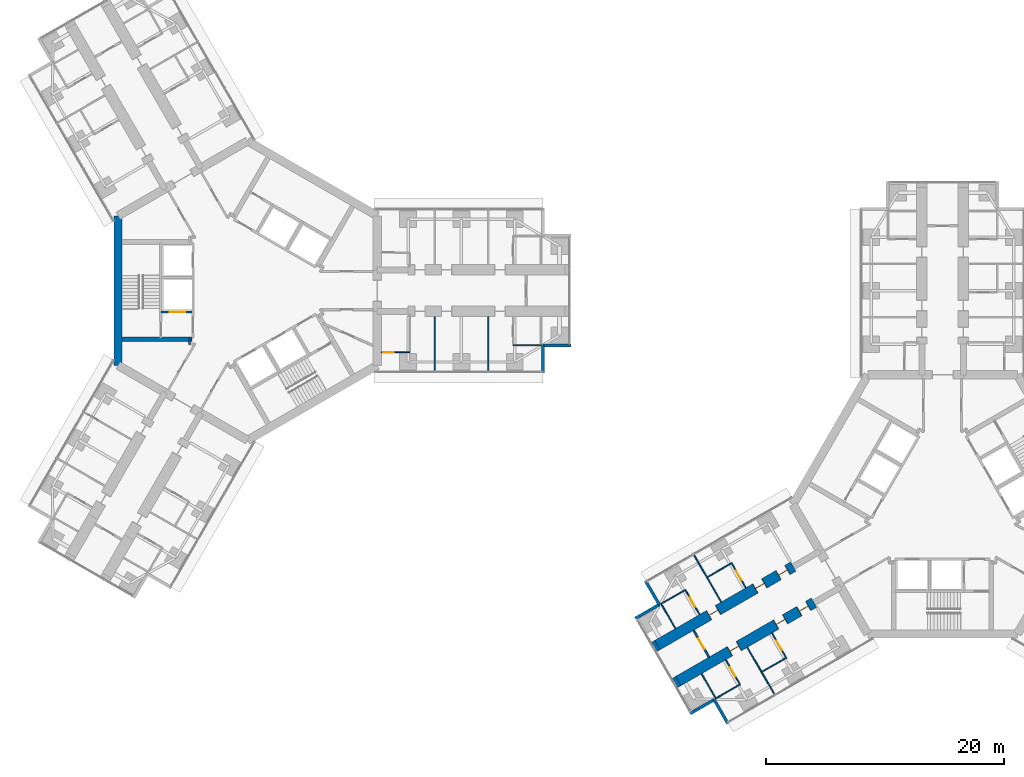
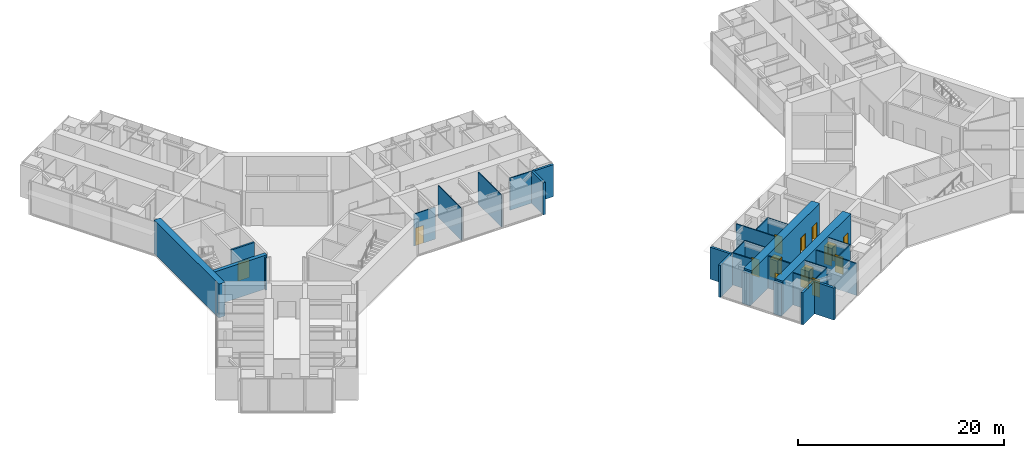
# One storey, part 17 of 25: 31 walls, 13 doors, 13 openings.
"""IFC4 building model written with IfcOpenShell, lengths in metres."""

from ifc_helpers import new_model, si_unit, direction, frame, frame_2d, origin, place, context, subcontext, project, spatial, rectangle, extrude, material, layer, layer_set, type_object, element, fill, save


model = new_model("IFC4")

# Units and contexts
model_context = context("Model", 3, precision=1e-05, world=origin(), true_north=direction((0.0, 1.0)))
body_context = subcontext(model_context, "Body", "Model", "MODEL_VIEW")
ifc_project = project(units=[si_unit("LENGTHUNIT", "METRE"), si_unit("AREAUNIT", "SQUARE_METRE"), si_unit("VOLUMEUNIT", "CUBIC_METRE"), si_unit("PLANEANGLEUNIT", "RADIAN"), si_unit("MASSUNIT", "GRAM", prefix="KILO")], contexts=[model_context])

# Site, building, storey
site_placement = place(None, origin())
site = spatial("IfcSite", under=ifc_project, at=site_placement, CompositionType="ELEMENT")
building_placement = place(site_placement, origin())
building = spatial("IfcBuilding", under=site, at=building_placement, Name="Upepo Twin Towers", CompositionType="ELEMENT")
storey_placement = place(building_placement, frame((0.0, 0.0, 72.5)))
storey = spatial("IfcBuildingStorey", under=building, at=storey_placement, Name="L17", CompositionType="ELEMENT", Elevation=72.5)

# Walls
ifc_material_1 = material(Name="Dense concrete blockwork", Category="masonry")
ifc_layer_1 = layer(ifc_material_1, 0.89990234375)
ifc_layer_set_1 = layer_set([ifc_layer_1], Name="Buttress closer 900, blockwork with fire-stopping to the curtain wall")
wall_type_1 = type_object("IfcWallType", Name="Buttress closer 900, blockwork with fire-stopping to the curtain wall", PredefinedType="PARTITIONING", material=ifc_layer_set_1)
for number, where, z_axis, x_axis, name in (
    (1, (36.252197265625, -32.865478515625, 0.0), (0.0, 0.0, 1.0), (-0.866054481515, -0.499949632511, 0.0), "T2 L17 wing B buttress closer L"),
    (2, (34.502197265625, -29.83447265625, 0.0), (0.0, 0.0, 1.0), (-0.866054481515, -0.499949632511, 0.0), "T2 L17 wing B buttress closer R"),
):
    element("IfcWall", number, at=place(storey_placement, frame(where, z_axis=z_axis, x_axis=x_axis)), inside=storey, type_object=wall_type_1, Name=name, PredefinedType="PARTITIONING", context=body_context, shape_type="SweptSolid", body=[
        extrude(rectangle(XDim=0.31005859375, YDim=0.89990234375, at=frame_2d((0.155029296875, 0.0))), origin(), (0.0, 0.0, 1.0), 3.800048828125),
    ])

# Wall, openings, doors
ifc_material_2 = material(Name="Concrete C60/75", Category="concrete")
ifc_layer_2 = layer(ifc_material_2, 0.89990234375)
ifc_layer_set_2 = layer_set([ifc_layer_2], Name="Concrete C60/75")
wall_type_2 = type_object("IfcWallType", Name="Buttress wall 900 RC", PredefinedType="SHEAR", material=ifc_layer_set_2)
wall_1_placement = place(storey_placement, frame((47.68359375, -26.265625, 0.0), z_axis=(0.0, 0.0, 1.0), x_axis=(-0.866027579429, -0.499996231654, 0.0)))
wall_1 = element("IfcWall", 3, at=wall_1_placement, inside=storey, type_object=wall_type_2, Name="T2 wing B buttress wall L part 2", PredefinedType="SHEAR", context=body_context, shape_type="SweptSolid", body=[
    extrude(rectangle(XDim=13.19970703125, YDim=0.89990234375, at=frame_2d((6.599853515625, 0.0))), origin(), (0.0, 0.0, 1.0), 4.0),
])
opening_1_placement = place(wall_1_placement, frame((0.550048828125, 0.0, 0.0)))
opening_1 = element("IfcOpeningElement", 4, at=opening_1_placement, cuts=wall_1, Name="Opening D14", PredefinedType="OPENING", context=body_context, shape_type="SweptSolid", body=[
    extrude(rectangle(XDim=0.89990234375, YDim=2.10009765625, at=frame_2d((0.449951171875, 1.050048828125))), frame((0.0, 0.4599609375, 0.0), z_axis=(0.0, -1.0, 0.0), x_axis=(1.0, 0.0, 0.0)), (0.0, 0.0, 1.0), 0.919921875),
])
opening_2_placement = place(wall_1_placement, frame((2.800048828125, 0.0, 0.0)))
opening_2 = element("IfcOpeningElement", 5, at=opening_2_placement, cuts=wall_1, Name="Opening D14", PredefinedType="OPENING", context=body_context, shape_type="SweptSolid", body=[
    extrude(rectangle(XDim=0.89990234375, YDim=2.10009765625, at=frame_2d((0.449951171875, 1.050048828125))), frame((0.0, 0.4599609375, 0.0), z_axis=(0.0, -1.0, 0.0), x_axis=(1.0, 0.0, 0.0)), (0.0, 0.0, 1.0), 0.919921875),
])
opening_3_placement = place(wall_1_placement, frame((7.300048828125, 0.0, 0.0)))
opening_3 = element("IfcOpeningElement", 6, at=opening_3_placement, cuts=wall_1, Name="Opening D14", PredefinedType="OPENING", context=body_context, shape_type="SweptSolid", body=[
    extrude(rectangle(XDim=0.89990234375, YDim=2.10009765625, at=frame_2d((0.449951171875, 1.050048828125))), frame((0.0, 0.4599609375, 0.0), z_axis=(0.0, -1.0, 0.0), x_axis=(1.0, 0.0, 0.0)), (0.0, 0.0, 1.0), 0.919921875),
])
ifc_material_3 = material(Name="Timber doorset", Category="wood")
door_type_1 = type_object("IfcDoorType", Name="Office door 900 FD30", OperationType="SINGLE_SWING_LEFT", PredefinedType="DOOR", material=ifc_material_3)
door_1_placement = place(opening_1_placement, origin())
door_1 = element("IfcDoor", 7, at=door_1_placement, inside=storey, type_object=door_type_1, Name="T2 L17 open-plan staff office door", OperationType="SINGLE_SWING_LEFT", OverallHeight=2.10009765625, OverallWidth=0.89990234375, PredefinedType="DOOR", context=body_context, shape_type="SweptSolid", body=[
    extrude(rectangle(XDim=0.81990234375, YDim=2.06009765625, at=frame_2d((0.449951171875, 1.030029296875))), frame((0.0, 0.02490234375, 0.0), z_axis=(0.0, -1.0, 0.0), x_axis=(1.0, 0.0, 0.0)), (0.0, 0.0, 1.0), 0.050048828125),
    extrude(rectangle(XDim=0.04, YDim=2.10009765625, at=frame_2d((0.02001953125, 1.050048828125))), frame((0.0, 0.44970703125, 0.0), z_axis=(0.0, -1.0, 0.0), x_axis=(1.0, 0.0, 0.0)), (0.0, 0.0, 1.0), 0.8994140625),
    extrude(rectangle(XDim=0.04, YDim=2.10009765625, at=frame_2d((0.8798828125, 1.050048828125))), frame((0.0, 0.44970703125, 0.0), z_axis=(0.0, -1.0, 0.0), x_axis=(1.0, 0.0, 0.0)), (0.0, 0.0, 1.0), 0.8994140625),
    extrude(rectangle(XDim=0.81990234375, YDim=0.04, at=frame_2d((0.449951171875, 2.080078125))), frame((0.0, 0.44970703125, 0.0), z_axis=(0.0, -1.0, 0.0), x_axis=(1.0, 0.0, 0.0)), (0.0, 0.0, 1.0), 0.8994140625),
])
fill(opening_1, door_1)
door_2_placement = place(opening_2_placement, origin())
door_2 = element("IfcDoor", 8, at=door_2_placement, inside=storey, type_object=door_type_1, Name="T2 L17 open-plan staff office door", OperationType="SINGLE_SWING_LEFT", OverallHeight=2.10009765625, OverallWidth=0.89990234375, PredefinedType="DOOR", context=body_context, shape_type="SweptSolid", body=[
    extrude(rectangle(XDim=0.81990234375, YDim=2.06009765625, at=frame_2d((0.449951171875, 1.030029296875))), frame((0.0, 0.02490234375, 0.0), z_axis=(0.0, -1.0, 0.0), x_axis=(1.0, 0.0, 0.0)), (0.0, 0.0, 1.0), 0.050048828125),
    extrude(rectangle(XDim=0.04, YDim=2.10009765625, at=frame_2d((0.02001953125, 1.050048828125))), frame((0.0, 0.44970703125, 0.0), z_axis=(0.0, -1.0, 0.0), x_axis=(1.0, 0.0, 0.0)), (0.0, 0.0, 1.0), 0.8994140625),
    extrude(rectangle(XDim=0.04, YDim=2.10009765625, at=frame_2d((0.8798828125, 1.050048828125))), frame((0.0, 0.44970703125, 0.0), z_axis=(0.0, -1.0, 0.0), x_axis=(1.0, 0.0, 0.0)), (0.0, 0.0, 1.0), 0.8994140625),
    extrude(rectangle(XDim=0.81990234375, YDim=0.04, at=frame_2d((0.449951171875, 2.080078125))), frame((0.0, 0.44970703125, 0.0), z_axis=(0.0, -1.0, 0.0), x_axis=(1.0, 0.0, 0.0)), (0.0, 0.0, 1.0), 0.8994140625),
])
fill(opening_2, door_2)
door_3_placement = place(opening_3_placement, origin())
door_3 = element("IfcDoor", 9, at=door_3_placement, inside=storey, type_object=door_type_1, Name="T2 L17 staff office door", OperationType="SINGLE_SWING_RIGHT", OverallHeight=2.10009765625, OverallWidth=0.89990234375, PredefinedType="DOOR", context=body_context, shape_type="SweptSolid", body=[
    extrude(rectangle(XDim=0.81990234375, YDim=2.06009765625, at=frame_2d((0.449951171875, 1.030029296875))), frame((0.0, 0.02490234375, 0.0), z_axis=(0.0, -1.0, 0.0), x_axis=(1.0, 0.0, 0.0)), (0.0, 0.0, 1.0), 0.050048828125),
    extrude(rectangle(XDim=0.04, YDim=2.10009765625, at=frame_2d((0.02001953125, 1.050048828125))), frame((0.0, 0.44970703125, 0.0), z_axis=(0.0, -1.0, 0.0), x_axis=(1.0, 0.0, 0.0)), (0.0, 0.0, 1.0), 0.8994140625),
    extrude(rectangle(XDim=0.04, YDim=2.10009765625, at=frame_2d((0.8798828125, 1.050048828125))), frame((0.0, 0.44970703125, 0.0), z_axis=(0.0, -1.0, 0.0), x_axis=(1.0, 0.0, 0.0)), (0.0, 0.0, 1.0), 0.8994140625),
    extrude(rectangle(XDim=0.81990234375, YDim=0.04, at=frame_2d((0.449951171875, 2.080078125))), frame((0.0, 0.44970703125, 0.0), z_axis=(0.0, -1.0, 0.0), x_axis=(1.0, 0.0, 0.0)), (0.0, 0.0, 1.0), 0.8994140625),
])
fill(opening_3, door_3)

wall_2_placement = place(storey_placement, frame((45.93359375, -23.234375, 0.0), z_axis=(0.0, 0.0, 1.0), x_axis=(-0.866019570528, -0.500010103361, 0.0)))
wall_2 = element("IfcWall", 10, at=wall_2_placement, inside=storey, type_object=wall_type_2, Name="T2 wing B buttress wall R part 2", PredefinedType="SHEAR", context=body_context, shape_type="SweptSolid", body=[
    extrude(rectangle(XDim=13.199951171875, YDim=0.89990234375, at=frame_2d((6.60009765625, 0.0))), origin(), (0.0, 0.0, 1.0), 4.0),
])
opening_4_placement = place(wall_2_placement, frame((0.550048828125, 0.0, 0.0)))
opening_4 = element("IfcOpeningElement", 11, at=opening_4_placement, cuts=wall_2, Name="Opening D14", PredefinedType="OPENING", context=body_context, shape_type="SweptSolid", body=[
    extrude(rectangle(XDim=0.89990234375, YDim=2.10009765625, at=frame_2d((0.449951171875, 1.050048828125))), frame((0.0, 0.4599609375, 0.0), z_axis=(0.0, -1.0, 0.0), x_axis=(1.0, 0.0, 0.0)), (0.0, 0.0, 1.0), 0.919921875),
])
opening_5_placement = place(wall_2_placement, frame((2.800048828125, 0.0, 0.0)))
opening_5 = element("IfcOpeningElement", 12, at=opening_5_placement, cuts=wall_2, Name="Opening D14", PredefinedType="OPENING", context=body_context, shape_type="SweptSolid", body=[
    extrude(rectangle(XDim=0.89990234375, YDim=2.10009765625, at=frame_2d((0.449951171875, 1.050048828125))), frame((0.0, 0.4599609375, 0.0), z_axis=(0.0, -1.0, 0.0), x_axis=(1.0, 0.0, 0.0)), (0.0, 0.0, 1.0), 0.919921875),
])
opening_6_placement = place(wall_2_placement, frame((7.300048828125, 0.0, 0.0)))
opening_6 = element("IfcOpeningElement", 13, at=opening_6_placement, cuts=wall_2, Name="Opening D14", PredefinedType="OPENING", context=body_context, shape_type="SweptSolid", body=[
    extrude(rectangle(XDim=0.89990234375, YDim=2.10009765625, at=frame_2d((0.449951171875, 1.050048828125))), frame((0.0, 0.4599609375, 0.0), z_axis=(0.0, -1.0, 0.0), x_axis=(1.0, 0.0, 0.0)), (0.0, 0.0, 1.0), 0.919921875),
])
door_4_placement = place(opening_4_placement, origin())
door_4 = element("IfcDoor", 14, at=door_4_placement, inside=storey, type_object=door_type_1, Name="T2 L17 open-plan staff office door", OperationType="SINGLE_SWING_LEFT", OverallHeight=2.10009765625, OverallWidth=0.89990234375, PredefinedType="DOOR", context=body_context, shape_type="SweptSolid", body=[
    extrude(rectangle(XDim=0.81990234375, YDim=2.06009765625, at=frame_2d((0.449951171875, 1.030029296875))), frame((0.0, 0.02490234375, 0.0), z_axis=(0.0, -1.0, 0.0), x_axis=(1.0, 0.0, 0.0)), (0.0, 0.0, 1.0), 0.050048828125),
    extrude(rectangle(XDim=0.04, YDim=2.10009765625, at=frame_2d((0.02001953125, 1.050048828125))), frame((0.0, 0.44970703125, 0.0), z_axis=(0.0, -1.0, 0.0), x_axis=(1.0, 0.0, 0.0)), (0.0, 0.0, 1.0), 0.8994140625),
    extrude(rectangle(XDim=0.04, YDim=2.10009765625, at=frame_2d((0.8798828125, 1.050048828125))), frame((0.0, 0.44970703125, 0.0), z_axis=(0.0, -1.0, 0.0), x_axis=(1.0, 0.0, 0.0)), (0.0, 0.0, 1.0), 0.8994140625),
    extrude(rectangle(XDim=0.81990234375, YDim=0.04, at=frame_2d((0.449951171875, 2.080078125))), frame((0.0, 0.44970703125, 0.0), z_axis=(0.0, -1.0, 0.0), x_axis=(1.0, 0.0, 0.0)), (0.0, 0.0, 1.0), 0.8994140625),
])
fill(opening_4, door_4)
door_5_placement = place(opening_5_placement, origin())
door_5 = element("IfcDoor", 15, at=door_5_placement, inside=storey, type_object=door_type_1, Name="T2 L17 open-plan staff office door", OperationType="SINGLE_SWING_LEFT", OverallHeight=2.10009765625, OverallWidth=0.89990234375, PredefinedType="DOOR", context=body_context, shape_type="SweptSolid", body=[
    extrude(rectangle(XDim=0.81990234375, YDim=2.06009765625, at=frame_2d((0.449951171875, 1.030029296875))), frame((0.0, 0.02490234375, 0.0), z_axis=(0.0, -1.0, 0.0), x_axis=(1.0, 0.0, 0.0)), (0.0, 0.0, 1.0), 0.050048828125),
    extrude(rectangle(XDim=0.04, YDim=2.10009765625, at=frame_2d((0.02001953125, 1.050048828125))), frame((0.0, 0.44970703125, 0.0), z_axis=(0.0, -1.0, 0.0), x_axis=(1.0, 0.0, 0.0)), (0.0, 0.0, 1.0), 0.8994140625),
    extrude(rectangle(XDim=0.04, YDim=2.10009765625, at=frame_2d((0.8798828125, 1.050048828125))), frame((0.0, 0.44970703125, 0.0), z_axis=(0.0, -1.0, 0.0), x_axis=(1.0, 0.0, 0.0)), (0.0, 0.0, 1.0), 0.8994140625),
    extrude(rectangle(XDim=0.81990234375, YDim=0.04, at=frame_2d((0.449951171875, 2.080078125))), frame((0.0, 0.44970703125, 0.0), z_axis=(0.0, -1.0, 0.0), x_axis=(1.0, 0.0, 0.0)), (0.0, 0.0, 1.0), 0.8994140625),
])
fill(opening_5, door_5)
door_6_placement = place(opening_6_placement, origin())
door_6 = element("IfcDoor", 16, at=door_6_placement, inside=storey, type_object=door_type_1, Name="T2 L17 meeting room door", OperationType="SINGLE_SWING_RIGHT", OverallHeight=2.10009765625, OverallWidth=0.89990234375, PredefinedType="DOOR", context=body_context, shape_type="SweptSolid", body=[
    extrude(rectangle(XDim=0.81990234375, YDim=2.06009765625, at=frame_2d((0.449951171875, 1.030029296875))), frame((0.0, 0.02490234375, 0.0), z_axis=(0.0, -1.0, 0.0), x_axis=(1.0, 0.0, 0.0)), (0.0, 0.0, 1.0), 0.050048828125),
    extrude(rectangle(XDim=0.04, YDim=2.10009765625, at=frame_2d((0.02001953125, 1.050048828125))), frame((0.0, 0.44970703125, 0.0), z_axis=(0.0, -1.0, 0.0), x_axis=(1.0, 0.0, 0.0)), (0.0, 0.0, 1.0), 0.8994140625),
    extrude(rectangle(XDim=0.04, YDim=2.10009765625, at=frame_2d((0.8798828125, 1.050048828125))), frame((0.0, 0.44970703125, 0.0), z_axis=(0.0, -1.0, 0.0), x_axis=(1.0, 0.0, 0.0)), (0.0, 0.0, 1.0), 0.8994140625),
    extrude(rectangle(XDim=0.81990234375, YDim=0.04, at=frame_2d((0.449951171875, 2.080078125))), frame((0.0, 0.44970703125, 0.0), z_axis=(0.0, -1.0, 0.0), x_axis=(1.0, 0.0, 0.0)), (0.0, 0.0, 1.0), 0.8994140625),
])
fill(opening_6, door_6)

# Walls
ifc_material_4 = material(Name="Concrete C60/75", Category="concrete")
ifc_layer_3 = layer(ifc_material_4, 0.699951171875)
ifc_layer_set_3 = layer_set([ifc_layer_3], Name="Concrete C60/75")
wall_type_3 = type_object("IfcWallType", Name="Core wall 700 RC", PredefinedType="SHEAR", material=ifc_layer_set_3)
wall_3_placement = place(storey_placement, frame((-10.908447265625, 6.2978515625, 0.0), z_axis=(0.0, 0.0, 1.0), x_axis=(0.0, -1.0, 0.0)))
element("IfcWall", 17, at=wall_3_placement, inside=storey, type_object=wall_type_3, Name="T1 core wall 180", PredefinedType="SHEAR", context=body_context, shape_type="SweptSolid", body=[
    extrude(rectangle(XDim=12.595703125, YDim=0.699951171875, at=frame_2d((6.2978515625, 0.0))), origin(), (0.0, 0.0, 1.0), 4.0),
])
ifc_material_5 = material(Name="Blockwork with anodised aluminium cladding", Category="masonry")
ifc_layer_4 = layer(ifc_material_5, 0.25)
ifc_layer_set_4 = layer_set([ifc_layer_4], Name="Notch cladding wall 250, pale metal")
wall_type_4 = type_object("IfcWallType", Name="Notch cladding wall 250, pale metal", PredefinedType="STANDARD", material=ifc_layer_set_4)
for number, where, z_axis, x_axis, name in (
    (18, (24.875, -6.949951171875, 0.0), (0.0, 0.0, 1.0), (0.0, 1.0, 0.0), "T1 L17 wing A notch wall R1"),
    (19, (24.875, -4.625, 0.0), (0.0, 0.0, 1.0), (1.0, 0.0, 0.0), "T1 L17 wing A notch wall R2"),
    (20, (40.4326171875, -36.456298828125, 0.0), (0.0, 0.0, 1.0), (-0.500046648681, 0.865998469481, 0.0), "T2 L17 wing B notch wall L1"),
    (21, (39.27001953125, -34.44287109375, 0.0), (0.0, 0.0, 1.0), (-0.865998469481, -0.500046648681, 0.0), "T2 L17 wing B notch wall L2"),
    (22, (33.482666015625, -24.418701171875, 0.0), (0.0, 0.0, 1.0), (0.499967891604, -0.866043940782, 0.0), "T2 L17 wing B notch wall R1"),
    (23, (34.64501953125, -26.43212890625, 0.0), (0.0, 0.0, 1.0), (-0.865998469481, -0.500046648681, 0.0), "T2 L17 wing B notch wall R2"),
):
    element("IfcWall", number, at=place(storey_placement, frame(where, z_axis=z_axis, x_axis=x_axis)), inside=storey, type_object=wall_type_4, Name=name, PredefinedType="STANDARD", context=body_context, shape_type="SweptSolid", body=[
        extrude(rectangle(XDim=2.324951171875, YDim=0.25, at=frame_2d((1.16259765625, 0.0))), origin(), (0.0, 0.0, 1.0), 3.800048828125),
    ])
ifc_material_6 = material(Name="Gypsum board on steel studs", Category="steel")
ifc_layer_5 = layer(ifc_material_6, 0.10009765625)
ifc_layer_set_5 = layer_set([ifc_layer_5], Name="Office partition 100 stud")
wall_type_5 = type_object("IfcWallType", Name="Office partition 100 stud", PredefinedType="PARTITIONING", material=ifc_layer_set_5)
for number, where, z_axis, x_axis, name in (
    (24, (15.75, -2.199951171875, 0.0), (0.0, 0.0, 1.0), (0.0, -1.0, 0.0), "T1 partition AR at 15.75"),
    (25, (20.25, -2.199951171875, 0.0), (0.0, 0.0, 1.0), (0.0, -1.0, 0.0), "T1 partition AR at 20.25"),
):
    element("IfcWall", number, at=place(storey_placement, frame(where, z_axis=z_axis, x_axis=x_axis)), inside=storey, type_object=wall_type_5, Name=name, PredefinedType="PARTITIONING", context=body_context, shape_type="SweptSolid", body=[
        extrude(rectangle(XDim=4.550048828125, YDim=0.10009765625, at=frame_2d((2.27490234375, 0.0))), origin(), (0.0, 0.0, 1.0), 3.800048828125),
    ])
wall_4_placement = place(storey_placement, frame((22.35009765625, -4.60009765625, 0.0), z_axis=(0.0, 0.0, 1.0), x_axis=(1.0, 0.0, 0.0)))
element("IfcWall", 26, at=wall_4_placement, inside=storey, type_object=wall_type_5, Name="T1 inner room partition AR at 22.35", PredefinedType="PARTITIONING", context=body_context, shape_type="SweptSolid", body=[
    extrude(rectangle(XDim=2.39990234375, YDim=0.10009765625, at=frame_2d((1.199951171875, 0.0))), origin(), (0.0, 0.0, 1.0), 3.800048828125),
])

# Wall, opening, door
wall_5_placement = place(storey_placement, frame((11.258056640625, -5.199951171875, 0.0), z_axis=(0.0, 0.0, 1.0), x_axis=(1.0, 0.0, 0.0)))
wall_5 = element("IfcWall", 27, at=wall_5_placement, inside=storey, type_object=wall_type_5, Name="T1 WC bay partition AR at 11.26", PredefinedType="PARTITIONING", context=body_context, shape_type="SweptSolid", body=[
    extrude(rectangle(XDim=2.39990234375, YDim=0.10009765625, at=frame_2d((1.199951171875, 0.0))), origin(), (0.0, 0.0, 1.0), 3.800048828125),
])
opening_7_placement = place(wall_5_placement, frame((0.14990234375, 0.0, 0.0)))
opening_7 = element("IfcOpeningElement", 28, at=opening_7_placement, cuts=wall_5, Name="Opening D14", PredefinedType="OPENING", context=body_context, shape_type="SweptSolid", body=[
    extrude(rectangle(XDim=0.89990234375, YDim=2.10009765625, at=frame_2d((0.449951171875, 1.050048828125))), frame((0.0, 0.06005859375, 0.0), z_axis=(0.0, -1.0, 0.0), x_axis=(1.0, 0.0, 0.0)), (0.0, 0.0, 1.0), 0.1201171875),
])
door_7_placement = place(opening_7_placement, origin())
door_7 = element("IfcDoor", 29, at=door_7_placement, inside=storey, type_object=door_type_1, Name="T1 L17 WC bay inner room door", OperationType="SINGLE_SWING_LEFT", OverallHeight=2.10009765625, OverallWidth=0.89990234375, PredefinedType="DOOR", context=body_context, shape_type="SweptSolid", body=[
    extrude(rectangle(XDim=0.89990234375, YDim=2.10009765625, at=frame_2d((0.449951171875, 1.050048828125))), frame((0.0, 0.02490234375, 0.0), z_axis=(0.0, -1.0, 0.0), x_axis=(1.0, 0.0, 0.0)), (0.0, 0.0, 1.0), 0.050048828125),
])
fill(opening_7, door_7)

# Walls
wall_6_placement = place(storey_placement, frame((42.06298828125, -30.0302734375, 0.0), z_axis=(0.0, 0.0, 1.0), x_axis=(0.499982560684, -0.866035472144, 0.0)))
element("IfcWall", 30, at=wall_6_placement, inside=storey, type_object=wall_type_5, Name="T2 partition BL at 20.25", PredefinedType="PARTITIONING", context=body_context, shape_type="SweptSolid", body=[
    extrude(rectangle(XDim=4.550048828125, YDim=0.10009765625, at=frame_2d((2.27490234375, 0.0))), origin(), (0.0, 0.0, 1.0), 3.800048828125),
])
wall_7_placement = place(storey_placement, frame((45.341552734375, -30.90869140625, 0.0), z_axis=(0.0, 0.0, 1.0), x_axis=(-0.866050077142, -0.499957262057, 0.0)))
element("IfcWall", 31, at=wall_7_placement, inside=storey, type_object=wall_type_5, Name="T2 inner room partition BL at 17.85", PredefinedType="PARTITIONING", context=body_context, shape_type="SweptSolid", body=[
    extrude(rectangle(XDim=2.400146484375, YDim=0.10009765625, at=frame_2d((1.2001953125, 0.0))), origin(), (0.0, 0.0, 1.0), 3.800048828125),
])

# Wall, opening, door
wall_8_placement = place(storey_placement, frame((44.141357421875, -28.830322265625, 0.0), z_axis=(0.0, 0.0, 1.0), x_axis=(0.500077600433, -0.865980596518, 0.0)))
wall_8 = element("IfcWall", 32, at=wall_8_placement, inside=storey, type_object=wall_type_5, Name="T2 inner room partition BL end at 17.85", PredefinedType="PARTITIONING", context=body_context, shape_type="SweptSolid", body=[
    extrude(rectangle(XDim=2.39990234375, YDim=0.10009765625, at=frame_2d((1.199951171875, 0.0))), origin(), (0.0, 0.0, 1.0), 3.800048828125),
])
opening_8_placement = place(wall_8_placement, frame((0.75, 0.0, 0.0)))
opening_8 = element("IfcOpeningElement", 33, at=opening_8_placement, cuts=wall_8, Name="Opening D14", PredefinedType="OPENING", context=body_context, shape_type="SweptSolid", body=[
    extrude(rectangle(XDim=0.89990234375, YDim=2.10009765625, at=frame_2d((0.449951171875, 1.050048828125))), frame((0.0, 0.06005859375, 0.0), z_axis=(0.0, -1.0, 0.0), x_axis=(1.0, 0.0, 0.0)), (0.0, 0.0, 1.0), 0.1201171875),
])
door_8_placement = place(opening_8_placement, origin())
door_8 = element("IfcDoor", 34, at=door_8_placement, inside=storey, type_object=door_type_1, Name="T2 L17 inner room door", OperationType="SINGLE_SWING_LEFT", OverallHeight=2.10009765625, OverallWidth=0.89990234375, PredefinedType="DOOR", context=body_context, shape_type="SweptSolid", body=[
    extrude(rectangle(XDim=0.89990234375, YDim=2.10009765625, at=frame_2d((0.449951171875, 1.050048828125))), frame((0.0, 0.02490234375, 0.0), z_axis=(0.0, -1.0, 0.0), x_axis=(1.0, 0.0, 0.0)), (0.0, 0.0, 1.0), 0.050048828125),
])
fill(opening_8, door_8)

# Wall
wall_9_placement = place(storey_placement, frame((41.4443359375, -33.15869140625, 0.0), z_axis=(0.0, 0.0, 1.0), x_axis=(-0.866024647952, -0.500001309137, 0.0)))
element("IfcWall", 35, at=wall_9_placement, inside=storey, type_object=wall_type_5, Name="T2 inner room partition BL at 22.35", PredefinedType="PARTITIONING", context=body_context, shape_type="SweptSolid", body=[
    extrude(rectangle(XDim=2.39990234375, YDim=0.10009765625, at=frame_2d((1.199951171875, 0.0))), origin(), (0.0, 0.0, 1.0), 3.800048828125),
])

# Wall, opening, door
wall_10_placement = place(storey_placement, frame((40.244384765625, -31.080322265625, 0.0), z_axis=(0.0, 0.0, 1.0), x_axis=(0.500001309137, -0.866024647952, 0.0)))
wall_10 = element("IfcWall", 36, at=wall_10_placement, inside=storey, type_object=wall_type_5, Name="T2 inner room partition BL end at 22.35", PredefinedType="PARTITIONING", context=body_context, shape_type="SweptSolid", body=[
    extrude(rectangle(XDim=2.39990234375, YDim=0.10009765625, at=frame_2d((1.199951171875, 0.0))), origin(), (0.0, 0.0, 1.0), 3.800048828125),
])
opening_9_placement = place(wall_10_placement, frame((0.75, 0.0, 0.0)))
opening_9 = element("IfcOpeningElement", 37, at=opening_9_placement, cuts=wall_10, Name="Opening D14", PredefinedType="OPENING", context=body_context, shape_type="SweptSolid", body=[
    extrude(rectangle(XDim=0.89990234375, YDim=2.10009765625, at=frame_2d((0.449951171875, 1.050048828125))), frame((0.0, 0.06005859375, 0.0), z_axis=(0.0, -1.0, 0.0), x_axis=(1.0, 0.0, 0.0)), (0.0, 0.0, 1.0), 0.1201171875),
])
door_9_placement = place(opening_9_placement, origin())
door_9 = element("IfcDoor", 38, at=door_9_placement, inside=storey, type_object=door_type_1, Name="T2 L17 inner room door", OperationType="SINGLE_SWING_LEFT", OverallHeight=2.10009765625, OverallWidth=0.89990234375, PredefinedType="DOOR", context=body_context, shape_type="SweptSolid", body=[
    extrude(rectangle(XDim=0.89990234375, YDim=2.10009765625, at=frame_2d((0.449951171875, 1.050048828125))), frame((0.0, 0.02490234375, 0.0), z_axis=(0.0, -1.0, 0.0), x_axis=(1.0, 0.0, 0.0)), (0.0, 0.0, 1.0), 0.050048828125),
])
fill(opening_9, door_9)

# Walls
wall_11_placement = place(storey_placement, frame((38.209228515625, -32.25537109375, 0.0), z_axis=(0.0, 0.0, 1.0), x_axis=(0.500001309137, -0.866024647952, 0.0)))
element("IfcWall", 39, at=wall_11_placement, inside=storey, type_object=wall_type_5, Name="T2 inner room partition BL end at 24.75", PredefinedType="PARTITIONING", context=body_context, shape_type="SweptSolid", body=[
    extrude(rectangle(XDim=2.39990234375, YDim=0.10009765625, at=frame_2d((1.199951171875, 0.0))), origin(), (0.0, 0.0, 1.0), 3.800048828125),
])
wall_12_placement = place(storey_placement, frame((39.863037109375, -26.2197265625, 0.0), z_axis=(0.0, 0.0, 1.0), x_axis=(-0.500022803284, 0.866012237902, 0.0)))
element("IfcWall", 40, at=wall_12_placement, inside=storey, type_object=wall_type_5, Name="T2 partition BR at 20.25", PredefinedType="PARTITIONING", context=body_context, shape_type="SweptSolid", body=[
    extrude(rectangle(XDim=4.550048828125, YDim=0.10009765625, at=frame_2d((2.27490234375, 0.0))), origin(), (0.0, 0.0, 1.0), 3.800048828125),
])
wall_13_placement = place(storey_placement, frame((40.741455078125, -22.941162109375, 0.0), z_axis=(0.0, 0.0, 1.0), x_axis=(-0.865980596518, -0.500077600433, 0.0)))
element("IfcWall", 41, at=wall_13_placement, inside=storey, type_object=wall_type_5, Name="T2 inner room partition BR at 17.85", PredefinedType="PARTITIONING", context=body_context, shape_type="SweptSolid", body=[
    extrude(rectangle(XDim=2.39990234375, YDim=0.10009765625, at=frame_2d((1.199951171875, 0.0))), origin(), (0.0, 0.0, 1.0), 3.800048828125),
])

# Wall, opening, door
wall_14_placement = place(storey_placement, frame((41.94140625, -25.019775390625, 0.0), z_axis=(0.0, 0.0, 1.0), x_axis=(-0.499957262057, 0.866050077142, 0.0)))
wall_14 = element("IfcWall", 42, at=wall_14_placement, inside=storey, type_object=wall_type_5, Name="T2 inner room partition BR end at 17.85", PredefinedType="PARTITIONING", context=body_context, shape_type="SweptSolid", body=[
    extrude(rectangle(XDim=2.400146484375, YDim=0.10009765625, at=frame_2d((1.2001953125, 0.0))), origin(), (0.0, 0.0, 1.0), 3.800048828125),
])
opening_10_placement = place(wall_14_placement, frame((0.75, 0.0, 0.0)))
opening_10 = element("IfcOpeningElement", 43, at=opening_10_placement, cuts=wall_14, Name="Opening D14", PredefinedType="OPENING", context=body_context, shape_type="SweptSolid", body=[
    extrude(rectangle(XDim=0.89990234375, YDim=2.10009765625, at=frame_2d((0.449951171875, 1.050048828125))), frame((0.0, 0.06005859375, 0.0), z_axis=(0.0, -1.0, 0.0), x_axis=(1.0, 0.0, 0.0)), (0.0, 0.0, 1.0), 0.1201171875),
])
door_10_placement = place(opening_10_placement, origin())
door_10 = element("IfcDoor", 44, at=door_10_placement, inside=storey, type_object=door_type_1, Name="T2 L17 inner room door", OperationType="SINGLE_SWING_LEFT", OverallHeight=2.10009765625, OverallWidth=0.89990234375, PredefinedType="DOOR", context=body_context, shape_type="SweptSolid", body=[
    extrude(rectangle(XDim=0.89990234375, YDim=2.10009765625, at=frame_2d((0.449951171875, 1.050048828125))), frame((0.0, 0.02490234375, 0.0), z_axis=(0.0, -1.0, 0.0), x_axis=(1.0, 0.0, 0.0)), (0.0, 0.0, 1.0), 0.050048828125),
])
fill(opening_10, door_10)

# Wall
wall_15_placement = place(storey_placement, frame((36.84423828125, -25.191162109375, 0.0), z_axis=(0.0, 0.0, 1.0), x_axis=(-0.865980596518, -0.500077600433, 0.0)))
element("IfcWall", 45, at=wall_15_placement, inside=storey, type_object=wall_type_5, Name="T2 inner room partition BR at 22.35", PredefinedType="PARTITIONING", context=body_context, shape_type="SweptSolid", body=[
    extrude(rectangle(XDim=2.39990234375, YDim=0.10009765625, at=frame_2d((1.199951171875, 0.0))), origin(), (0.0, 0.0, 1.0), 3.800048828125),
])

# Wall, opening, door
wall_16_placement = place(storey_placement, frame((38.04443359375, -27.269775390625, 0.0), z_axis=(0.0, 0.0, 1.0), x_axis=(-0.500033551112, 0.866006032174, 0.0)))
wall_16 = element("IfcWall", 46, at=wall_16_placement, inside=storey, type_object=wall_type_5, Name="T2 inner room partition BR end at 22.35", PredefinedType="PARTITIONING", context=body_context, shape_type="SweptSolid", body=[
    extrude(rectangle(XDim=2.400146484375, YDim=0.10009765625, at=frame_2d((1.2001953125, 0.0))), origin(), (0.0, 0.0, 1.0), 3.800048828125),
])
opening_11_placement = place(wall_16_placement, frame((0.75, 0.0, 0.0)))
opening_11 = element("IfcOpeningElement", 47, at=opening_11_placement, cuts=wall_16, Name="Opening D14", PredefinedType="OPENING", context=body_context, shape_type="SweptSolid", body=[
    extrude(rectangle(XDim=0.89990234375, YDim=2.10009765625, at=frame_2d((0.449951171875, 1.050048828125))), frame((0.0, 0.06005859375, 0.0), z_axis=(0.0, -1.0, 0.0), x_axis=(1.0, 0.0, 0.0)), (0.0, 0.0, 1.0), 0.1201171875),
])
door_11_placement = place(opening_11_placement, origin())
door_11 = element("IfcDoor", 48, at=door_11_placement, inside=storey, type_object=door_type_1, Name="T2 L17 inner room door", OperationType="SINGLE_SWING_LEFT", OverallHeight=2.10009765625, OverallWidth=0.89990234375, PredefinedType="DOOR", context=body_context, shape_type="SweptSolid", body=[
    extrude(rectangle(XDim=0.89990234375, YDim=2.10009765625, at=frame_2d((0.449951171875, 1.050048828125))), frame((0.0, 0.02490234375, 0.0), z_axis=(0.0, -1.0, 0.0), x_axis=(1.0, 0.0, 0.0)), (0.0, 0.0, 1.0), 0.050048828125),
])
fill(opening_11, door_11)

# Wall
wall_17_placement = place(storey_placement, frame((36.00927734375, -28.44482421875, 0.0), z_axis=(0.0, 0.0, 1.0), x_axis=(-0.500033551112, 0.866006032174, 0.0)))
element("IfcWall", 49, at=wall_17_placement, inside=storey, type_object=wall_type_5, Name="T2 inner room partition BR end at 24.75", PredefinedType="PARTITIONING", context=body_context, shape_type="SweptSolid", body=[
    extrude(rectangle(XDim=2.400146484375, YDim=0.10009765625, at=frame_2d((1.2001953125, 0.0))), origin(), (0.0, 0.0, 1.0), 3.800048828125),
])

# Wall, opening, door
ifc_material_7 = material(Name="Concrete C40/50", Category="concrete")
ifc_layer_6 = layer(ifc_material_7, 0.199951171875)
ifc_layer_set_6 = layer_set([ifc_layer_6], Name="Concrete C40/50")
wall_type_6 = type_object("IfcWallType", Name="Shaft wall 200 RC", PredefinedType="SHEAR", material=ifc_layer_set_6)
wall_18_placement = place(storey_placement, frame((-4.699951171875, -1.800048828125, 0.0), z_axis=(0.0, 0.0, 1.0), x_axis=(-1.0, 0.0, 0.0)))
wall_18 = element("IfcWall", 50, at=wall_18_placement, inside=storey, type_object=wall_type_6, Name="T1 core W180 lobby wall", PredefinedType="SHEAR", context=body_context, shape_type="SweptSolid", body=[
    extrude(rectangle(XDim=2.60009765625, YDim=0.199951171875, at=frame_2d((1.300048828125, 0.0))), origin(), (0.0, 0.0, 1.0), 4.0),
])
opening_12_placement = place(wall_18_placement, frame((0.550048828125, 0.0, 0.0)))
opening_12 = element("IfcOpeningElement", 51, at=opening_12_placement, cuts=wall_18, Name="Opening LD2", PredefinedType="OPENING", context=body_context, shape_type="SweptSolid", body=[
    extrude(rectangle(XDim=1.300048828125, YDim=2.199951171875, at=frame_2d((0.64990234375, 1.10009765625))), frame((0.0, 0.10986328125, 0.0), z_axis=(0.0, -1.0, 0.0), x_axis=(1.0, 0.0, 0.0)), (0.0, 0.0, 1.0), 0.219970703125),
])
ifc_material_8 = material(Name="Steel doorset", Category="steel")
door_type_2 = type_object("IfcDoorType", Name="Firefighting lift landing door 1300", OperationType="DOUBLE_DOOR_SLIDING", PredefinedType="DOOR", material=ifc_material_8)
door_12_placement = place(opening_12_placement, origin())
door_12 = element("IfcDoor", 52, at=door_12_placement, inside=storey, type_object=door_type_2, Name="T1 L17 firefighting lift landing door", OperationType="DOUBLE_DOOR_SLIDING", OverallHeight=2.199951171875, OverallWidth=1.300048828125, PredefinedType="DOOR", context=body_context, shape_type="SweptSolid", body=[
    extrude(rectangle(XDim=1.300048828125, YDim=2.199951171875, at=frame_2d((0.64990234375, 1.10009765625))), frame((0.0, 0.02490234375, 0.0), z_axis=(0.0, -1.0, 0.0), x_axis=(1.0, 0.0, 0.0)), (0.0, 0.0, 1.0), 0.050048828125),
])
fill(opening_12, door_12)

# Walls
ifc_material_9 = material(Name="Concrete C40/50", Category="concrete")
ifc_layer_7 = layer(ifc_material_9, 0.39990234375)
ifc_layer_set_7 = layer_set([ifc_layer_7], Name="Concrete C40/50")
wall_type_7 = type_object("IfcWallType", Name="Shaft wall 400 RC", PredefinedType="SHEAR", material=ifc_layer_set_7)
wall_19_placement = place(storey_placement, frame((-4.699951171875, -4.10009765625, 0.0), z_axis=(0.0, 0.0, 1.0), x_axis=(-1.0, 0.0, 0.0)))
element("IfcWall", 53, at=wall_19_placement, inside=storey, type_object=wall_type_7, Name="T1 core W180 side wall N", PredefinedType="SHEAR", context=body_context, shape_type="SweptSolid", body=[
    extrude(rectangle(XDim=5.8583984375, YDim=0.39990234375, at=frame_2d((2.92919921875, 0.0))), origin(), (0.0, 0.0, 1.0), 4.0),
])
ifc_material_10 = material(Name="Gypsum board on steel studs", Category="steel")
ifc_layer_8 = layer(ifc_material_10, 0.14990234375)
ifc_layer_set_8 = layer_set([ifc_layer_8], Name="Teaching partition 150 acoustic")
wall_type_8 = type_object("IfcWallType", Name="Teaching partition 150 acoustic", PredefinedType="PARTITIONING", material=ifc_layer_set_8)
wall_20_placement = place(storey_placement, frame((-4.89990234375, -4.52001953125, 0.0), z_axis=(0.0, 0.0, 1.0), x_axis=(0.0, 1.0, 0.0)))
element("IfcWall", 54, at=wall_20_placement, inside=storey, type_object=wall_type_8, Name="T1 core room partition 7", PredefinedType="PARTITIONING", context=body_context, shape_type="SweptSolid", body=[
    extrude(rectangle(XDim=0.429931640625, YDim=0.14990234375, at=frame_2d((0.21484375, 0.0))), origin(), (0.0, 0.0, 1.0), 3.800048828125),
])

# Wall, opening, door
wall_21_placement = place(storey_placement, frame((37.541748046875, -28.59912109375, 0.0), z_axis=(0.0, 0.0, 1.0), x_axis=(0.500006934395, -0.866021400173, 0.0)))
wall_21 = element("IfcWall", 55, at=wall_21_placement, inside=storey, type_object=wall_type_8, Name="T2 corridor end partition B at 23.45", PredefinedType="PARTITIONING", context=body_context, shape_type="SweptSolid", body=[
    extrude(rectangle(XDim=2.60009765625, YDim=0.14990234375, at=frame_2d((1.300048828125, 0.0))), origin(), (0.0, 0.0, 1.0), 3.800048828125),
])
opening_13_placement = place(wall_21_placement, frame((0.800048828125, 0.0, 0.0)))
opening_13 = element("IfcOpeningElement", 56, at=opening_13_placement, cuts=wall_21, Name="Opening D1", PredefinedType="OPENING", context=body_context, shape_type="SweptSolid", body=[
    extrude(rectangle(XDim=1.0, YDim=2.10009765625, at=frame_2d((0.5, 1.050048828125))), frame((0.0, 0.0849609375, 0.0), z_axis=(0.0, -1.0, 0.0), x_axis=(1.0, 0.0, 0.0)), (0.0, 0.0, 1.0), 0.169921875),
])
ifc_material_11 = material(Name="Timber doorset", Category="wood")
door_type_3 = type_object("IfcDoorType", Name="Room door 1000 FD30", OperationType="SINGLE_SWING_LEFT", PredefinedType="DOOR", material=ifc_material_11)
door_13_placement = place(opening_13_placement, origin())
door_13 = element("IfcDoor", 57, at=door_13_placement, inside=storey, type_object=door_type_3, Name="T2 L17 breakout study room door", OperationType="SINGLE_SWING_RIGHT", OverallHeight=2.10009765625, OverallWidth=1.0, PredefinedType="DOOR", context=body_context, shape_type="SweptSolid", body=[
    extrude(rectangle(XDim=1.0, YDim=2.10009765625, at=frame_2d((0.5, 1.050048828125))), frame((0.0, 0.02490234375, 0.0), z_axis=(0.0, -1.0, 0.0), x_axis=(1.0, 0.0, 0.0)), (0.0, 0.0, 1.0), 0.050048828125),
])
fill(opening_13, door_13)

save(model, "model.ifc")
